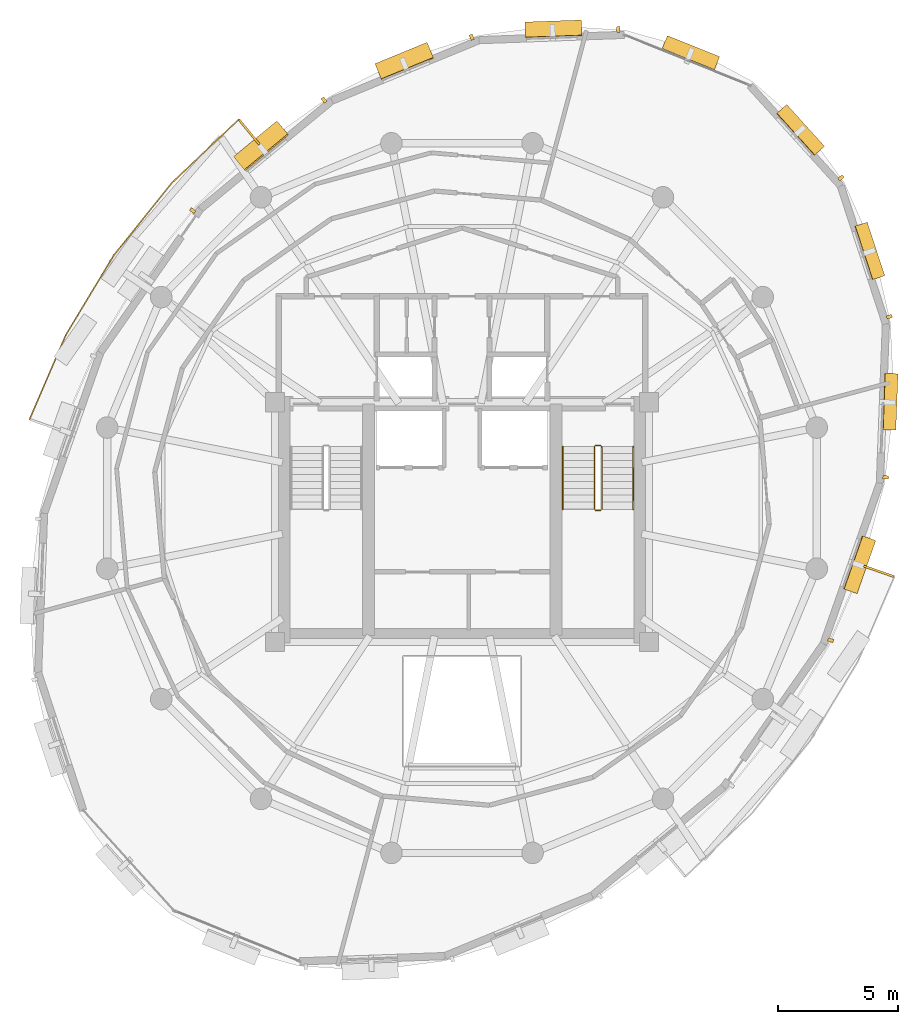
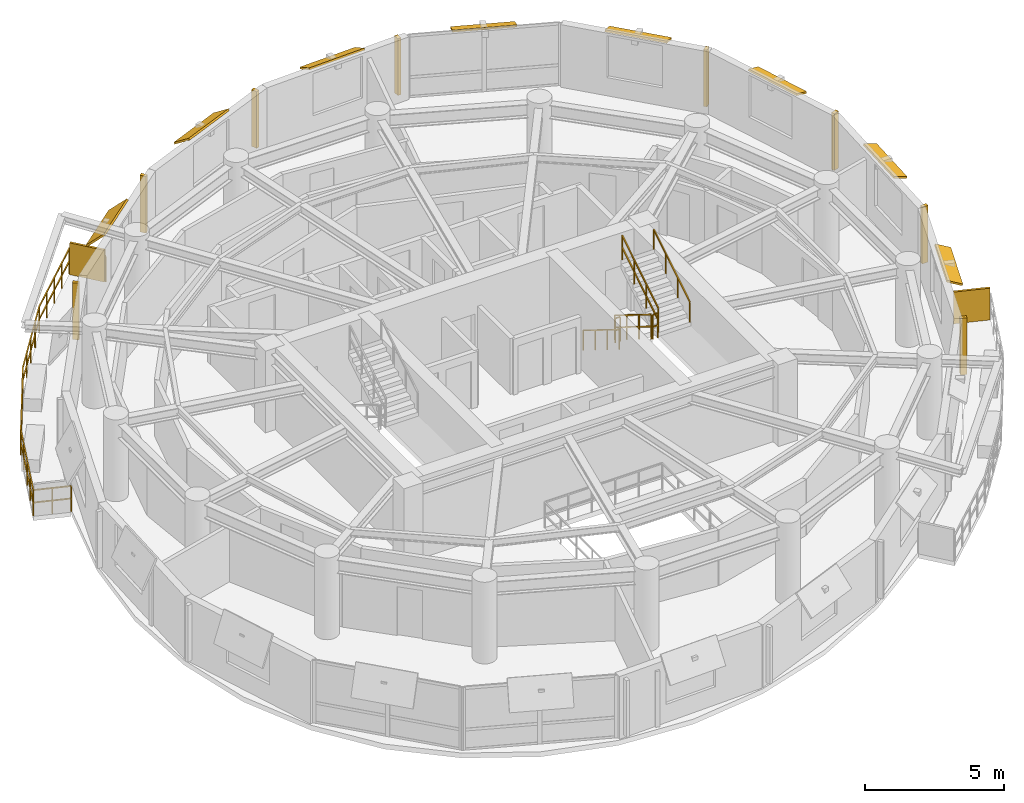
# One storey, part 11 of 11: 18 shading devices, 7 railings.
"""IFC4 building model written with IfcOpenShell, lengths in metres."""

from ifc_helpers import new_model, si_unit, direction, frame, origin, origin_2d, place, context, subcontext, project, spatial, rectangle, extrude, material, layer, layer_set, type_object, element, save


model = new_model("IFC4")

# Units and contexts
model_context = context("Model", 3, precision=1e-05, world=origin(), true_north=direction((0.0, 1.0)))
body_context = subcontext(model_context, "Body", "Model", "MODEL_VIEW")
ifc_project = project(units=[si_unit("LENGTHUNIT", "METRE"), si_unit("AREAUNIT", "SQUARE_METRE"), si_unit("VOLUMEUNIT", "CUBIC_METRE"), si_unit("PLANEANGLEUNIT", "RADIAN"), si_unit("MASSUNIT", "GRAM", prefix="KILO"), si_unit("THERMODYNAMICTEMPERATUREUNIT", "KELVIN"), si_unit("POWERUNIT", "WATT")], contexts=[model_context])

# Site, building, storey
site_placement = place(None, origin())
site = spatial("IfcSite", under=ifc_project, at=site_placement, CompositionType="ELEMENT")
building_placement = place(site_placement, origin())
building = spatial("IfcBuilding", under=site, at=building_placement, Name="Ocrelia Relay Tower", CompositionType="ELEMENT")
storey_placement = place(building_placement, frame((0.0, 0.0, 259.199951171875)))
storey = spatial("IfcBuildingStorey", under=building, at=storey_placement, Name="L64", CompositionType="ELEMENT", Elevation=259.199951171875)

# Railings
ifc_material_1 = material(Name="Steel S355 balustrade", Category="steel")
railing_type_1 = type_object("IfcRailingType", Name="RL-EXT-GUARD-1150", PredefinedType="GUARDRAIL", material=ifc_material_1)
railing_1_placement = place(storey_placement, frame((17.2607421875, 28.82666015625, 0.0)))
element("IfcRailing", 1, at=railing_1_placement, inside=storey, type_object=railing_type_1, Name="L64 Loggia Balcony Guard Rail B1", PredefinedType="GUARDRAIL", context=body_context, shape_type="SweptSolid", body=[
    extrude(rectangle(XDim=0.048095703125, YDim=0.048095703125, at=origin_2d()), frame((0.0, 0.0, 1.1259765625), z_axis=(-0.94424832666, 0.329234107588, 0.0), x_axis=(-0.329234107588, -0.94424832666, 0.0)), (0.0, 0.0, 1.0), 1.393310546875),
    extrude(rectangle(XDim=0.048095703125, YDim=0.048095703125, at=origin_2d()), frame((0.0, 0.0, 0.574951171875), z_axis=(-0.94424832666, 0.329234107588, 0.0), x_axis=(-0.329234107588, -0.94424832666, 0.0)), (0.0, 0.0, 1.0), 1.393310546875),
    extrude(rectangle(XDim=0.048095703125, YDim=0.048095703125, at=origin_2d()), frame((-1.315673828125, 0.458740234375, 1.1259765625), z_axis=(0.394916185996, 0.918717152359, 0.0), x_axis=(-0.918717152359, 0.394916185996, 0.0)), (0.0, 0.0, 1.0), 1.920654296875),
    extrude(rectangle(XDim=0.048095703125, YDim=0.048095703125, at=origin_2d()), frame((-1.315673828125, 0.458740234375, 0.574951171875), z_axis=(0.394916185996, 0.918717152359, 0.0), x_axis=(-0.918717152359, 0.394916185996, 0.0)), (0.0, 0.0, 1.0), 1.920654296875),
    extrude(rectangle(XDim=0.048095703125, YDim=0.048095703125, at=origin_2d()), frame((-0.55712890625, 2.223388671875, 1.1259765625), z_axis=(0.394808895803, 0.918763264283, 0.0), x_axis=(-0.918763264283, 0.394808895803, 0.0)), (0.0, 0.0, 1.0), 1.920654296875),
    extrude(rectangle(XDim=0.048095703125, YDim=0.048095703125, at=origin_2d()), frame((-0.55712890625, 2.223388671875, 0.574951171875), z_axis=(0.394808895803, 0.918763264283, 0.0), x_axis=(-0.918763264283, 0.394808895803, 0.0)), (0.0, 0.0, 1.0), 1.920654296875),
    extrude(rectangle(XDim=0.048095703125, YDim=0.048095703125, at=origin_2d()), frame((0.201171875, 3.988037109375, 1.1259765625), z_axis=(0.515780772345, 0.856720604911, 0.0), x_axis=(-0.856720604911, 0.515780772345, 0.0)), (0.0, 0.0, 1.0), 3.8818359375),
    extrude(rectangle(XDim=0.048095703125, YDim=0.048095703125, at=origin_2d()), frame((0.201171875, 3.988037109375, 0.574951171875), z_axis=(0.515780772345, 0.856720604911, 0.0), x_axis=(-0.856720604911, 0.515780772345, 0.0)), (0.0, 0.0, 1.0), 3.8818359375),
    extrude(rectangle(XDim=0.048095703125, YDim=0.048095703125, at=origin_2d()), frame((2.203369140625, 7.313720703125, 1.1259765625), z_axis=(0.625959728155, 0.779855383214, 0.0), x_axis=(-0.779855383214, 0.625959728155, 0.0)), (0.0, 0.0, 1.0), 3.8818359375),
    extrude(rectangle(XDim=0.048095703125, YDim=0.048095703125, at=origin_2d()), frame((2.203369140625, 7.313720703125, 0.574951171875), z_axis=(0.625959728155, 0.779855383214, 0.0), x_axis=(-0.779855383214, 0.625959728155, 0.0)), (0.0, 0.0, 1.0), 3.8818359375),
    extrude(rectangle(XDim=0.048095703125, YDim=0.048095703125, at=origin_2d()), frame((4.63330078125, 10.341064453125, 1.1259765625), z_axis=(0.725792339847, 0.687913860465, 0.0), x_axis=(-0.687913860465, 0.725792339847, 0.0)), (0.0, 0.0, 1.0), 1.920654296875),
    extrude(rectangle(XDim=0.048095703125, YDim=0.048095703125, at=origin_2d()), frame((4.63330078125, 10.341064453125, 0.574951171875), z_axis=(0.725792339847, 0.687913860465, 0.0), x_axis=(-0.687913860465, 0.725792339847, 0.0)), (0.0, 0.0, 1.0), 1.920654296875),
    extrude(rectangle(XDim=0.048095703125, YDim=0.048095703125, at=origin_2d()), frame((6.02734375, 11.662353515625, 1.1259765625), z_axis=(0.725915942054, 0.687783428901, 0.0), x_axis=(-0.687783428901, 0.725915942054, 0.0)), (0.0, 0.0, 1.0), 1.920654296875),
    extrude(rectangle(XDim=0.048095703125, YDim=0.048095703125, at=origin_2d()), frame((6.02734375, 11.662353515625, 0.574951171875), z_axis=(0.725915942054, 0.687783428901, 0.0), x_axis=(-0.687783428901, 0.725915942054, 0.0)), (0.0, 0.0, 1.0), 1.920654296875),
    extrude(rectangle(XDim=0.048095703125, YDim=0.048095703125, at=origin_2d()), frame((7.421630859375, 12.9833984375, 1.1259765625), z_axis=(0.634896322656, -0.772597346279, 0.0), x_axis=(0.772597346279, 0.634896322656, 0.0)), (0.0, 0.0, 1.0), 1.3935546875),
    extrude(rectangle(XDim=0.048095703125, YDim=0.048095703125, at=origin_2d()), frame((7.421630859375, 12.9833984375, 0.574951171875), z_axis=(0.634896322656, -0.772597346279, 0.0), x_axis=(0.772597346279, 0.634896322656, 0.0)), (0.0, 0.0, 1.0), 1.3935546875),
    extrude(rectangle(XDim=0.0419921875, YDim=0.0419921875, at=origin_2d()), origin(), (0.0, 0.0, 1.0), 1.101806640625),
    extrude(rectangle(XDim=0.0419921875, YDim=0.0419921875, at=origin_2d()), frame((-0.65771484375, 0.2294921875, 0.0)), (0.0, 0.0, 1.0), 1.101806640625),
    extrude(rectangle(XDim=0.0419921875, YDim=0.0419921875, at=origin_2d()), frame((-1.315673828125, 0.458740234375, 0.0)), (0.0, 0.0, 1.0), 1.101806640625),
    extrude(rectangle(XDim=0.0419921875, YDim=0.0419921875, at=origin_2d()), frame((-0.9365234375, 1.341064453125, 0.0)), (0.0, 0.0, 1.0), 1.101806640625),
    extrude(rectangle(XDim=0.0419921875, YDim=0.0419921875, at=origin_2d()), frame((-0.55712890625, 2.223388671875, 0.0)), (0.0, 0.0, 1.0), 1.101806640625),
    extrude(rectangle(XDim=0.0419921875, YDim=0.0419921875, at=origin_2d()), frame((-0.177978515625, 3.105712890625, 0.0)), (0.0, 0.0, 1.0), 1.101806640625),
    extrude(rectangle(XDim=0.0419921875, YDim=0.0419921875, at=origin_2d()), frame((0.201171875, 3.988037109375, 0.0)), (0.0, 0.0, 1.0), 1.101806640625),
    extrude(rectangle(XDim=0.0419921875, YDim=0.0419921875, at=origin_2d()), frame((0.70166015625, 4.8193359375, 0.0)), (0.0, 0.0, 1.0), 1.101806640625),
    extrude(rectangle(XDim=0.0419921875, YDim=0.0419921875, at=origin_2d()), frame((1.2021484375, 5.65087890625, 0.0)), (0.0, 0.0, 1.0), 1.101806640625),
    extrude(rectangle(XDim=0.0419921875, YDim=0.0419921875, at=origin_2d()), frame((1.702880859375, 6.482421875, 0.0)), (0.0, 0.0, 1.0), 1.101806640625),
    extrude(rectangle(XDim=0.0419921875, YDim=0.0419921875, at=origin_2d()), frame((2.203369140625, 7.313720703125, 0.0)), (0.0, 0.0, 1.0), 1.101806640625),
    extrude(rectangle(XDim=0.0419921875, YDim=0.0419921875, at=origin_2d()), frame((2.810791015625, 8.070556640625, 0.0)), (0.0, 0.0, 1.0), 1.101806640625),
    extrude(rectangle(XDim=0.0419921875, YDim=0.0419921875, at=origin_2d()), frame((3.41845703125, 8.827392578125, 0.0)), (0.0, 0.0, 1.0), 1.101806640625),
    extrude(rectangle(XDim=0.0419921875, YDim=0.0419921875, at=origin_2d()), frame((4.02587890625, 9.584228515625, 0.0)), (0.0, 0.0, 1.0), 1.101806640625),
    extrude(rectangle(XDim=0.0419921875, YDim=0.0419921875, at=origin_2d()), frame((4.63330078125, 10.341064453125, 0.0)), (0.0, 0.0, 1.0), 1.101806640625),
    extrude(rectangle(XDim=0.0419921875, YDim=0.0419921875, at=origin_2d()), frame((5.330322265625, 11.001708984375, 0.0)), (0.0, 0.0, 1.0), 1.101806640625),
    extrude(rectangle(XDim=0.0419921875, YDim=0.0419921875, at=origin_2d()), frame((6.02734375, 11.662353515625, 0.0)), (0.0, 0.0, 1.0), 1.101806640625),
    extrude(rectangle(XDim=0.0419921875, YDim=0.0419921875, at=origin_2d()), frame((6.724609375, 12.32275390625, 0.0)), (0.0, 0.0, 1.0), 1.101806640625),
    extrude(rectangle(XDim=0.0419921875, YDim=0.0419921875, at=origin_2d()), frame((7.421630859375, 12.9833984375, 0.0)), (0.0, 0.0, 1.0), 1.101806640625),
    extrude(rectangle(XDim=0.0419921875, YDim=0.0419921875, at=origin_2d()), frame((7.864013671875, 12.445068359375, 0.0)), (0.0, 0.0, 1.0), 1.101806640625),
    extrude(rectangle(XDim=0.0419921875, YDim=0.0419921875, at=origin_2d()), frame((8.306396484375, 11.90673828125, 0.0)), (0.0, 0.0, 1.0), 1.101806640625),
])
railing_type_2 = type_object("IfcRailingType", Name="RL-STAIR-GUARD", PredefinedType="GUARDRAIL", material=ifc_material_1)
railing_2_placement = place(storey_placement, frame((39.530029296875, 28.14990234375, 0.179931640625)))
element("IfcRailing", 2, at=railing_2_placement, inside=storey, type_object=railing_type_2, Name="L64 ST2 stair guard 1", PredefinedType="GUARDRAIL", context=body_context, shape_type="SweptSolid", body=[
    extrude(rectangle(XDim=0.048095703125, YDim=0.048095703125, at=origin_2d()), frame((0.0, 0.0, 1.076171875), z_axis=(0.0, -0.849610693518, 0.52741034258), x_axis=(1.0, 0.0, 0.0)), (0.0, 0.0, 1.0), 3.07177734375),
    extrude(rectangle(XDim=0.048095703125, YDim=0.048095703125, at=origin_2d()), frame((0.0, 0.0, 0.550048828125), z_axis=(0.0, -0.849610693518, 0.52741034258), x_axis=(1.0, 0.0, 0.0)), (0.0, 0.0, 1.0), 3.07177734375),
    extrude(rectangle(XDim=0.0419921875, YDim=0.0419921875, at=origin_2d()), origin(), (0.0, 0.0, 1.0), 1.052001953125),
    extrude(rectangle(XDim=0.0419921875, YDim=0.0419921875, at=origin_2d()), frame((0.0, -0.869873046875, 0.5400390625)), (0.0, 0.0, 1.0), 1.052001953125),
    extrude(rectangle(XDim=0.0419921875, YDim=0.0419921875, at=origin_2d()), frame((0.0, -1.739990234375, 1.080078125)), (0.0, 0.0, 1.0), 1.052001953125),
    extrude(rectangle(XDim=0.0419921875, YDim=0.0419921875, at=origin_2d()), frame((0.0, -2.60986328125, 1.6201171875)), (0.0, 0.0, 1.0), 1.052001953125),
])
railing_3_placement = place(storey_placement, frame((39.580078125, 25.489990234375, 1.800048828125)))
element("IfcRailing", 3, at=railing_3_placement, inside=storey, type_object=railing_type_2, Name="L64 ST2 stair guard 2", PredefinedType="GUARDRAIL", context=body_context, shape_type="SweptSolid", body=[
    extrude(rectangle(XDim=0.048095703125, YDim=0.048095703125, at=origin_2d()), frame((0.0, 0.0, 1.076171875), z_axis=(1.0, 0.0, 0.0), x_axis=(0.0, 1.0, 0.0)), (0.0, 0.0, 1.0), 0.199951171875),
    extrude(rectangle(XDim=0.048095703125, YDim=0.048095703125, at=origin_2d()), frame((0.0, 0.0, 0.550048828125), z_axis=(1.0, 0.0, 0.0), x_axis=(0.0, 1.0, 0.0)), (0.0, 0.0, 1.0), 0.199951171875),
    extrude(rectangle(XDim=0.0419921875, YDim=0.0419921875, at=origin_2d()), origin(), (0.0, 0.0, 1.0), 1.052001953125),
    extrude(rectangle(XDim=0.0419921875, YDim=0.0419921875, at=origin_2d()), frame((0.199951171875, 0.0, 0.0)), (0.0, 0.0, 1.0), 1.052001953125),
])
railing_4_placement = place(storey_placement, frame((39.830078125, 25.5400390625, 1.97998046875)))
element("IfcRailing", 4, at=railing_4_placement, inside=storey, type_object=railing_type_2, Name="L64 ST2 stair guard 3", PredefinedType="GUARDRAIL", context=body_context, shape_type="SweptSolid", body=[
    extrude(rectangle(XDim=0.048095703125, YDim=0.048095703125, at=origin_2d()), frame((0.0, 0.0, 1.076171875), z_axis=(0.0, 0.849610693518, 0.52741034258), x_axis=(-1.0, 0.0, 0.0)), (0.0, 0.0, 1.0), 3.07177734375),
    extrude(rectangle(XDim=0.048095703125, YDim=0.048095703125, at=origin_2d()), frame((0.0, 0.0, 0.550048828125), z_axis=(0.0, 0.849610693518, 0.52741034258), x_axis=(-1.0, 0.0, 0.0)), (0.0, 0.0, 1.0), 3.07177734375),
    extrude(rectangle(XDim=0.0419921875, YDim=0.0419921875, at=origin_2d()), origin(), (0.0, 0.0, 1.0), 1.052001953125),
    extrude(rectangle(XDim=0.0419921875, YDim=0.0419921875, at=origin_2d()), frame((0.0, 0.869873046875, 0.5400390625)), (0.0, 0.0, 1.0), 1.052001953125),
    extrude(rectangle(XDim=0.0419921875, YDim=0.0419921875, at=origin_2d()), frame((0.0, 1.739990234375, 1.080078125)), (0.0, 0.0, 1.0), 1.052001953125),
    extrude(rectangle(XDim=0.0419921875, YDim=0.0419921875, at=origin_2d()), frame((0.0, 2.60986328125, 1.6201171875)), (0.0, 0.0, 1.0), 1.052001953125),
])
railing_5_placement = place(storey_placement, frame((39.580078125, 28.199951171875, 0.0)))
element("IfcRailing", 5, at=railing_5_placement, inside=storey, type_object=railing_type_2, Name="L64 ST2 stair guard 4", PredefinedType="GUARDRAIL", context=body_context, shape_type="SweptSolid", body=[
    extrude(rectangle(XDim=0.048095703125, YDim=0.048095703125, at=origin_2d()), frame((0.0, 0.0, 1.076171875), z_axis=(1.0, 0.0, 0.0), x_axis=(0.0, 1.0, 0.0)), (0.0, 0.0, 1.0), 0.199951171875),
    extrude(rectangle(XDim=0.048095703125, YDim=0.048095703125, at=origin_2d()), frame((0.0, 0.0, 0.550048828125), z_axis=(1.0, 0.0, 0.0), x_axis=(0.0, 1.0, 0.0)), (0.0, 0.0, 1.0), 0.199951171875),
    extrude(rectangle(XDim=0.0419921875, YDim=0.0419921875, at=origin_2d()), origin(), (0.0, 0.0, 1.0), 1.052001953125),
    extrude(rectangle(XDim=0.0419921875, YDim=0.0419921875, at=origin_2d()), frame((0.199951171875, 0.0, 0.0)), (0.0, 0.0, 1.0), 1.052001953125),
])
ifc_material_2 = material(Name="Steel S355 tubular handrail", Category="steel")
railing_type_3 = type_object("IfcRailingType", Name="RL-STAIR-HAND", PredefinedType="HANDRAIL", material=ifc_material_2)
railing_6_placement = place(storey_placement, frame((38.2099609375, 28.14990234375, 0.179931640625)))
element("IfcRailing", 6, at=railing_6_placement, inside=storey, type_object=railing_type_3, Name="L64 ST2 stair handrail 1", PredefinedType="HANDRAIL", context=body_context, shape_type="SweptSolid", body=[
    extrude(rectangle(XDim=0.048095703125, YDim=0.048095703125, at=origin_2d()), frame((0.0, 0.0, 0.8759765625), z_axis=(0.0, -0.849610693518, 0.52741034258), x_axis=(1.0, 0.0, 0.0)), (0.0, 0.0, 1.0), 3.07177734375),
    extrude(rectangle(XDim=0.0419921875, YDim=0.0419921875, at=origin_2d()), origin(), (0.0, 0.0, 1.0), 0.851806640625),
    extrude(rectangle(XDim=0.0419921875, YDim=0.0419921875, at=origin_2d()), frame((0.0, -0.869873046875, 0.5400390625)), (0.0, 0.0, 1.0), 0.851806640625),
    extrude(rectangle(XDim=0.0419921875, YDim=0.0419921875, at=origin_2d()), frame((0.0, -1.739990234375, 1.080078125)), (0.0, 0.0, 1.0), 0.851806640625),
    extrude(rectangle(XDim=0.0419921875, YDim=0.0419921875, at=origin_2d()), frame((0.0, -2.60986328125, 1.6201171875)), (0.0, 0.0, 1.0), 0.851806640625),
])
railing_7_placement = place(storey_placement, frame((41.14990234375, 25.5400390625, 1.97998046875)))
element("IfcRailing", 7, at=railing_7_placement, inside=storey, type_object=railing_type_3, Name="L64 ST2 stair handrail 2", PredefinedType="HANDRAIL", context=body_context, shape_type="SweptSolid", body=[
    extrude(rectangle(XDim=0.048095703125, YDim=0.048095703125, at=origin_2d()), frame((0.0, 0.0, 0.8759765625), z_axis=(0.0, 0.849610693518, 0.52741034258), x_axis=(-1.0, 0.0, 0.0)), (0.0, 0.0, 1.0), 3.07177734375),
    extrude(rectangle(XDim=0.0419921875, YDim=0.0419921875, at=origin_2d()), origin(), (0.0, 0.0, 1.0), 0.851806640625),
    extrude(rectangle(XDim=0.0419921875, YDim=0.0419921875, at=origin_2d()), frame((0.0, 0.869873046875, 0.5400390625)), (0.0, 0.0, 1.0), 0.851806640625),
    extrude(rectangle(XDim=0.0419921875, YDim=0.0419921875, at=origin_2d()), frame((0.0, 1.739990234375, 1.080078125)), (0.0, 0.0, 1.0), 0.851806640625),
    extrude(rectangle(XDim=0.0419921875, YDim=0.0419921875, at=origin_2d()), frame((0.0, 2.60986328125, 1.6201171875)), (0.0, 0.0, 1.0), 0.851806640625),
])

# Shading devices
ifc_material_3 = material(Name="Perforated oxide terracotta solar screen", Category="masonry")
ifc_layer_1 = layer(ifc_material_3, 0.090087890625, Name="Perforated oxide terracotta solar screen")
ifc_layer_set_1 = layer_set([ifc_layer_1], Name="Perforated oxide terracotta solar screen")
shading_device_type_1 = type_object("IfcShadingDeviceType", Name="SH-BALC-SCREEN", PredefinedType="USERDEFINED", material=ifc_layer_set_1)
for number, where, z_axis, x_axis, name in (
    (8, (25.124755859375, 41.271728515625, 0.0), (0.0, 0.0, 1.0), (-0.634967422531, 0.772538913146, 0.0), "L64 Balcony Perforated Terracotta Screen B1-1"),
    (9, (51.397216796875, 22.944091796875, 0.0), (0.0, 0.0, 1.0), (0.94426711604, -0.32918021442, 0.0), "L64 Balcony Perforated Terracotta Screen B2-2"),
):
    element("IfcShadingDevice", number, at=place(storey_placement, frame(where, z_axis=z_axis, x_axis=x_axis)), inside=storey, type_object=shading_device_type_1, Name=name, ObjectType="SCREEN", PredefinedType="USERDEFINED", context=body_context, shape_type="SweptSolid", body=[
        extrude(rectangle(XDim=1.340087890625, YDim=0.090087890625, at=origin_2d()), origin(), (0.0, 0.0, 1.0), 1.39990234375),
    ])
ifc_material_4 = material(Name="Extruded oxide terracotta vertical baguette", Category="masonry")
shading_device_type_2 = type_object("IfcShadingDeviceType", Name="SH-TERR-BAGUETTE", PredefinedType="USERDEFINED", material=ifc_material_4)
for number, where, z_axis, x_axis, name in (
    (10, (40.526123046875, 45.55615234375, 0.130126953125), (0.0, 0.0, 1.0), (-0.999340020676, -0.036325240199, 0.0), "L64 Oxide Terracotta Vertical Baguette 02"),
    (11, (34.406982421875, 45.236328125, 0.130126953125), (0.0, 0.0, 1.0), (-0.92490084006, -0.380208411345, 0.0), "L64 Oxide Terracotta Vertical Baguette 03"),
    (12, (28.240478515625, 42.61376953125, 0.130126953125), (0.0, 0.0, 1.0), (-0.771527626544, -0.636195820074, 0.0), "L64 Oxide Terracotta Vertical Baguette 04"),
    (13, (22.756591796875, 37.997314453125, 0.130126953125), (0.0, 0.0, 1.0), (-0.572143848278, -0.820153288646, 0.0), "L64 Oxide Terracotta Vertical Baguette 05"),
    (14, (49.38671875, 20.069580078125, 0.130126953125), (0.0, 0.0, 1.0), (0.330657161908, 0.943750942399, 0.0), "L64 Oxide Terracotta Vertical Baguette 15"),
    (15, (51.681640625, 26.865478515625, 0.130126953125), (0.0, 0.0, 1.0), (0.037452052164, 0.999298425791, 0.0), "L64 Oxide Terracotta Vertical Baguette 16"),
    (16, (51.835693359375, 33.572265625, 0.130126953125), (0.0, 0.0, 1.0), (-0.310962117656, 0.950422306863, 0.0), "L64 Oxide Terracotta Vertical Baguette 17"),
    (17, (49.816162109375, 39.3662109375, 0.130126953125), (0.0, 0.0, 1.0), (-0.671046778202, 0.741415012975, 0.0), "L64 Oxide Terracotta Vertical Baguette 18"),
):
    element("IfcShadingDevice", number, at=place(storey_placement, frame(where, z_axis=z_axis, x_axis=x_axis)), inside=storey, type_object=shading_device_type_2, Name=name, ObjectType="BAGUETTE", PredefinedType="USERDEFINED", context=body_context, shape_type="SweptSolid", body=[
        extrude(rectangle(XDim=0.139892578125, YDim=0.239990234375, at=origin_2d()), origin(), (0.0, 0.0, 1.0), 2.5),
    ])
ifc_material_5 = material(Name="Extruded oxide terracotta fin", Category="masonry")
ifc_layer_2 = layer(ifc_material_5, 0.080078125, Name="Extruded oxide terracotta fin")
ifc_layer_set_2 = layer_set([ifc_layer_2], Name="Extruded oxide terracotta fin")
shading_device_type_3 = type_object("IfcShadingDeviceType", Name="SH-VISOR-FIN-MED", PredefinedType="USERDEFINED", material=ifc_layer_set_2)
shading_device_1_placement = place(storey_placement, frame((31.601806640625, 44.2197265625, 2.567138671875), z_axis=(-0.21693560505, 0.527720895602, 0.821248804935), x_axis=(-0.92490084006, -0.380208411345, 0.0)))
element("IfcShadingDevice", 18, at=shading_device_1_placement, inside=storey, type_object=shading_device_type_3, Name="L64 Canted Terracotta Sun-Visor Fin 03", ObjectType="FIN", PredefinedType="USERDEFINED", context=body_context, shape_type="SweptSolid", body=[
    extrude(rectangle(XDim=2.35009765625, YDim=0.830078125, at=origin_2d()), origin(), (0.0, 0.0, 1.0), 0.080078125),
])
shading_device_2_placement = place(storey_placement, frame((25.62939453125, 40.68212890625, 2.5712890625), z_axis=(-0.441699070842, 0.535657458004, 0.719703423989), x_axis=(-0.771527626544, -0.636195820074, 0.0)))
element("IfcShadingDevice", 19, at=shading_device_2_placement, inside=storey, type_object=shading_device_type_3, Name="L64 Canted Terracotta Sun-Visor Fin 04", ObjectType="FIN", PredefinedType="USERDEFINED", context=body_context, shape_type="SweptSolid", body=[
    extrude(rectangle(XDim=2.35009765625, YDim=0.98291015625, at=origin_2d()), origin(), (0.0, 0.0, 1.0), 0.080078125),
])
ifc_layer_3 = layer(ifc_material_5, 0.080078125, Name="Extruded oxide terracotta fin")
ifc_layer_set_3 = layer_set([ifc_layer_3], Name="Extruded oxide terracotta fin")
shading_device_type_4 = type_object("IfcShadingDeviceType", Name="SH-VISOR-FIN-SHAL", PredefinedType="USERDEFINED", material=ifc_layer_set_3)
shading_device_3_placement = place(storey_placement, frame((43.543212890625, 44.564697265625, 2.563232421875), z_axis=(0.146276406355, 0.363010413126, 0.920231847366), x_axis=(-0.927528967544, 0.373751273397, 0.0)))
element("IfcShadingDevice", 20, at=shading_device_3_placement, inside=storey, type_object=shading_device_type_4, Name="L64 Canted Terracotta Sun-Visor Fin 01", ObjectType="FIN", PredefinedType="USERDEFINED", context=body_context, shape_type="SweptSolid", body=[
    extrude(rectangle(XDim=2.35009765625, YDim=0.634033203125, at=origin_2d()), origin(), (0.0, 0.0, 1.0), 0.080078125),
])
shading_device_4_placement = place(storey_placement, frame((37.81494140625, 45.559814453125, 2.564697265625), z_axis=(-0.016986455803, 0.467312672973, 0.883928914562), x_axis=(-0.999340020676, -0.036325240199, 0.0)))
element("IfcShadingDevice", 21, at=shading_device_4_placement, inside=storey, type_object=shading_device_type_4, Name="L64 Canted Terracotta Sun-Visor Fin 02", ObjectType="FIN", PredefinedType="USERDEFINED", context=body_context, shape_type="SweptSolid", body=[
    extrude(rectangle(XDim=2.35009765625, YDim=0.715087890625, at=origin_2d()), origin(), (0.0, 0.0, 1.0), 0.080078125),
])
shading_device_5_placement = place(storey_placement, frame((50.581298828125, 23.226806640625, 2.56298828125), z_axis=(0.356892587587, -0.125042619632, 0.92573863709), x_axis=(0.330657161908, 0.943750942399, 0.0)))
element("IfcShadingDevice", 22, at=shading_device_5_placement, inside=storey, type_object=shading_device_type_4, Name="L64 Canted Terracotta Sun-Visor Fin 15", ObjectType="FIN", PredefinedType="USERDEFINED", context=body_context, shape_type="SweptSolid", body=[
    extrude(rectangle(XDim=2.35009765625, YDim=0.6201171875, at=origin_2d()), origin(), (0.0, 0.0, 1.0), 0.080078125),
])
shading_device_6_placement = place(storey_placement, frame((51.863525390625, 30.0234375, 2.562255859375), z_axis=(0.317908910708, -0.011914700153, 0.948046393597), x_axis=(0.037452052164, 0.999298425791, 0.0)))
element("IfcShadingDevice", 23, at=shading_device_6_placement, inside=storey, type_object=shading_device_type_4, Name="L64 Canted Terracotta Sun-Visor Fin 16", ObjectType="FIN", PredefinedType="USERDEFINED", context=body_context, shape_type="SweptSolid", body=[
    extrude(rectangle(XDim=2.35009765625, YDim=0.55908203125, at=origin_2d()), origin(), (0.0, 0.0, 1.0), 0.080078125),
])
shading_device_7_placement = place(storey_placement, frame((51.00634765625, 36.3125, 2.56201171875), z_axis=(0.295904423073, 0.096814926752, 0.950298606946), x_axis=(-0.310962117656, 0.950422306863, 0.0)))
element("IfcShadingDevice", 24, at=shading_device_7_placement, inside=storey, type_object=shading_device_type_4, Name="L64 Canted Terracotta Sun-Visor Fin 17", ObjectType="FIN", PredefinedType="USERDEFINED", context=body_context, shape_type="SweptSolid", body=[
    extrude(rectangle(XDim=2.35009765625, YDim=0.552001953125, at=origin_2d()), origin(), (0.0, 0.0, 1.0), 0.080078125),
])
shading_device_8_placement = place(storey_placement, frame((48.119140625, 41.35693359375, 2.5625), z_axis=(0.251267126932, 0.2274191823, 0.940821633704), x_axis=(-0.671046778202, 0.741415012975, 0.0)))
element("IfcShadingDevice", 25, at=shading_device_8_placement, inside=storey, type_object=shading_device_type_4, Name="L64 Canted Terracotta Sun-Visor Fin 18", ObjectType="FIN", PredefinedType="USERDEFINED", context=body_context, shape_type="SweptSolid", body=[
    extrude(rectangle(XDim=2.35009765625, YDim=0.580078125, at=origin_2d()), origin(), (0.0, 0.0, 1.0), 0.080078125),
])

save(model, "model.ifc")
